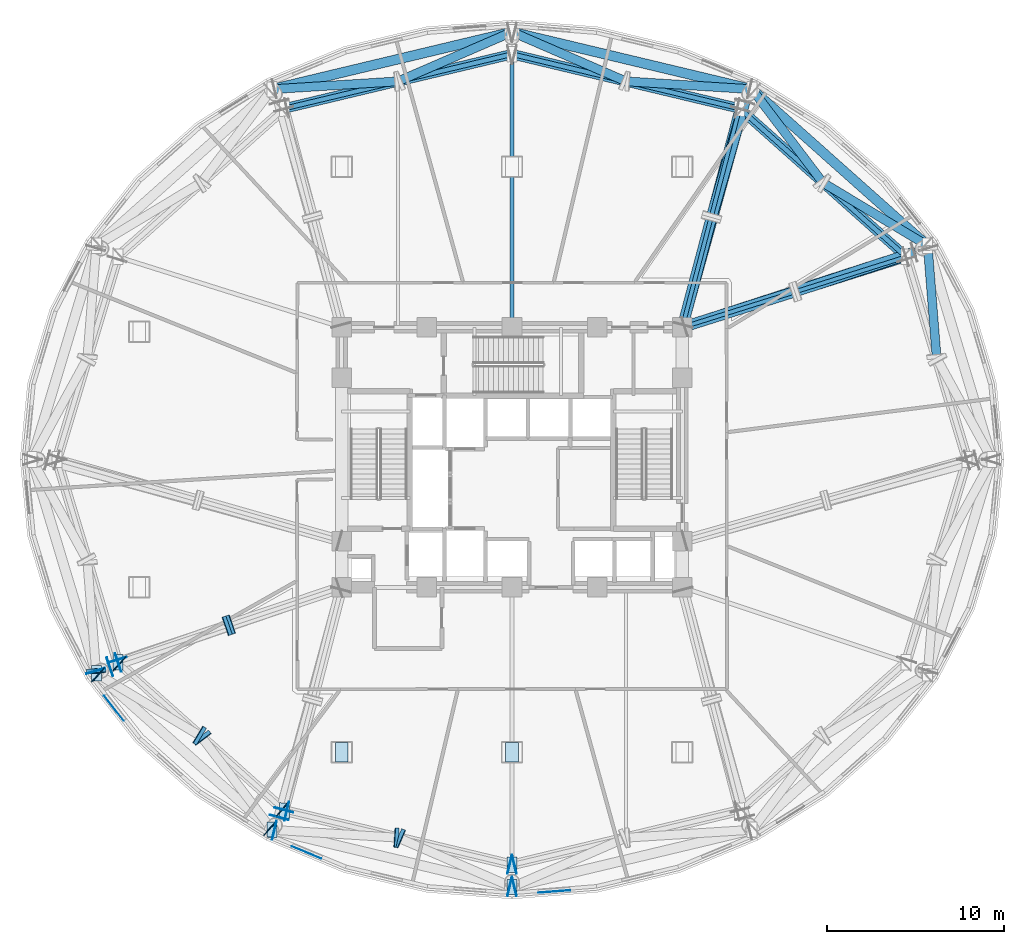
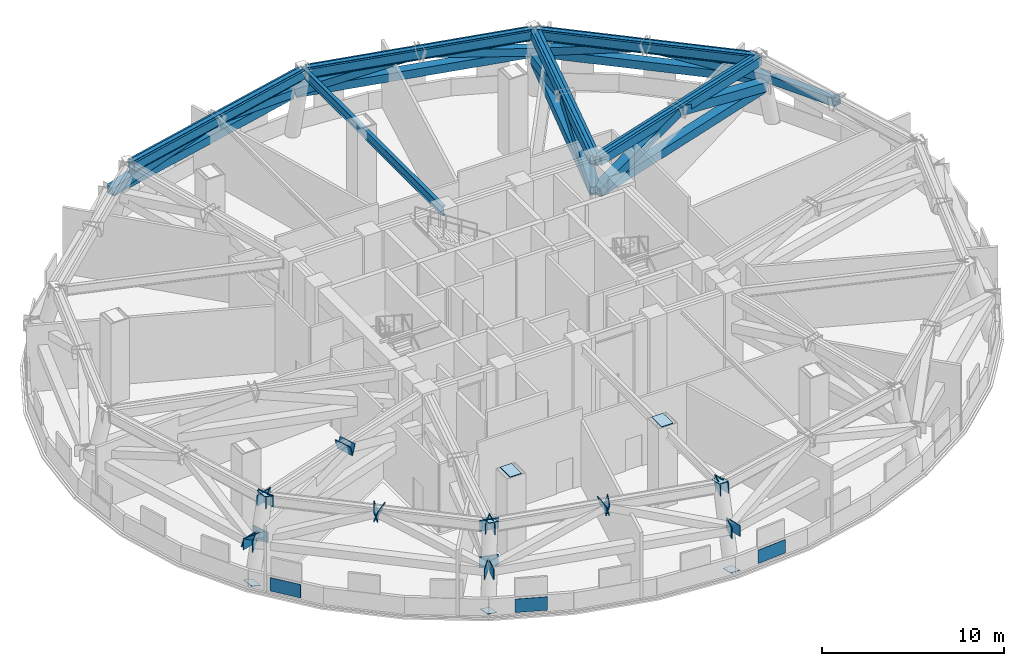
# One storey, part 3 of 14: 34 plates, 21 members, 6 beams.
"""IFC4 building model written with IfcOpenShell, lengths in metres."""

from ifc_helpers import new_model, si_unit, direction, frame, origin, origin_2d, place, context, subcontext, project, spatial, polyline, rectangle, hollow_rectangle, i_section, outline, extrude, material, layer, layer_set, material_profile, profile_set, type_object, element, save


model = new_model("IFC4")

# Units and contexts
model_context = context("Model", 3, precision=1e-05, world=origin(), true_north=direction((0.0, 1.0)))
body_context = subcontext(model_context, "Body", "Model", "MODEL_VIEW")
ifc_project = project(units=[si_unit("LENGTHUNIT", "METRE"), si_unit("AREAUNIT", "SQUARE_METRE"), si_unit("VOLUMEUNIT", "CUBIC_METRE"), si_unit("PLANEANGLEUNIT", "RADIAN"), si_unit("MASSUNIT", "GRAM", prefix="KILO")], contexts=[model_context])

# Site, building, storey
site_placement = place(None, origin())
site = spatial("IfcSite", under=ifc_project, at=site_placement, CompositionType="ELEMENT")
building_placement = place(site_placement, origin())
building = spatial("IfcBuilding", under=site, at=building_placement, Name="Vantalir Tower", CompositionType="ELEMENT")
storey_placement = place(building_placement, frame((0.0, 0.0, 90.75)))
storey = spatial("IfcBuildingStorey", under=building, at=storey_placement, Name="L22", CompositionType="ELEMENT", Elevation=90.75)

# Beams
ifc_material_1 = material(Name="Steel S355", Category="steel")
ifc_material_profile_1 = material_profile(ifc_material_1, i_section(OverallWidth=0.22998046875, OverallDepth=0.616943359375, WebThickness=0.01318359375, FlangeThickness=0.022216796875, at=origin_2d()), Name="Steel S355")
ifc_profile_set_1 = profile_set([ifc_material_profile_1], Name="Steel S355")
beam_type_1 = type_object("IfcBeamType", Name="BM-RB-610x229", PredefinedType="BEAM", material=ifc_profile_set_1)
beam_1_placement = place(storey_placement, frame((53.714111328125, 36.4208984375, 4.912109375), z_axis=(-0.953852090489, -0.300276854701, 0.0), x_axis=(0.300276854701, -0.953852090489, 0.0)))
element("IfcBeam", 1, at=beam_1_placement, inside=storey, type_object=beam_type_1, Name="L22 Radial Floor Beam 02", PredefinedType="BEAM", context=body_context, shape_type="SweptSolid", body=[
    extrude(i_section(OverallWidth=0.22998046875, OverallDepth=0.616943359375, WebThickness=0.01318359375, FlangeThickness=0.022216796875, at=origin_2d()), origin(), (0.0, 0.0, 1.0), 13.224365234375),
])
beam_2_placement = place(storey_placement, frame((44.324951171875, 44.782958984375, 4.912109375), z_axis=(-0.252976173327, -0.96747250903, 0.0), x_axis=(0.96747250903, -0.252976173327, 0.0)))
element("IfcBeam", 2, at=beam_2_placement, inside=storey, type_object=beam_type_1, Name="L22 Radial Floor Beam 03", PredefinedType="BEAM", context=body_context, shape_type="SweptSolid", body=[
    extrude(i_section(OverallWidth=0.22998046875, OverallDepth=0.616943359375, WebThickness=0.01318359375, FlangeThickness=0.022216796875, at=origin_2d()), origin(), (0.0, 0.0, 1.0), 12.74755859375),
])
beam_3_placement = place(storey_placement, frame((31.5, 47.843017578125, 4.912109375), z_axis=(0.0, -1.0, 0.0), x_axis=(1.0, 0.0, 0.0)))
element("IfcBeam", 3, at=beam_3_placement, inside=storey, type_object=beam_type_1, Name="L22 Radial Floor Beam 04", PredefinedType="BEAM", context=body_context, shape_type="SweptSolid", body=[
    extrude(i_section(OverallWidth=0.22998046875, OverallDepth=0.616943359375, WebThickness=0.01318359375, FlangeThickness=0.022216796875, at=origin_2d()), origin(), (0.0, 0.0, 1.0), 15.39306640625),
])
ifc_material_2 = material(Name="Steel S460", Category="steel")
ifc_material_profile_2 = material_profile(ifc_material_2, i_section(OverallWidth=0.26806640625, OverallDepth=0.77001953125, WebThickness=0.015625, FlangeThickness=0.025390625, at=origin_2d()), Name="Steel S460")
ifc_profile_set_2 = profile_set([ifc_material_profile_2], Name="Steel S460")
beam_type_2 = type_object("IfcBeamType", Name="BM-RG-762x267", PredefinedType="USERDEFINED", material=ifc_profile_set_2)
beam_4_placement = place(storey_placement, frame((53.714111328125, 36.4208984375, 4.8349609375), z_axis=(-0.746771533629, 0.665080654177, 0.0), x_axis=(-0.665080654177, -0.746771533629, 0.0)))
element("IfcBeam", 4, at=beam_4_placement, inside=storey, type_object=beam_type_2, Name="L22 Circumferential Ring Girder 02", ObjectType="GIRDER", PredefinedType="USERDEFINED", context=body_context, shape_type="SweptSolid", body=[
    extrude(i_section(OverallWidth=0.26806640625, OverallDepth=0.77001953125, WebThickness=0.015625, FlangeThickness=0.025390625, at=origin_2d()), origin(), (0.0, 0.0, 1.0), 12.572998046875),
])
for number, where, z_axis, x_axis, name in (
    (5, (44.324951171875, 44.782958984375, 4.8349609375), (-0.972695043045, 0.232086951886, 0.0), (-0.232086951886, -0.972695043045, 0.0), "L22 Circumferential Ring Girder 03"),
    (6, (31.5, 47.843017578125, 4.8349609375), (-0.972695043045, -0.232086951886, 0.0), (0.232086951886, -0.972695043045, 0.0), "L22 Circumferential Ring Girder 04"),
):
    element("IfcBeam", number, at=place(storey_placement, frame(where, z_axis=z_axis, x_axis=x_axis)), inside=storey, type_object=beam_type_2, Name=name, ObjectType="GIRDER", PredefinedType="USERDEFINED", context=body_context, shape_type="SweptSolid", body=[
        extrude(i_section(OverallWidth=0.26806640625, OverallDepth=0.77001953125, WebThickness=0.015625, FlangeThickness=0.025390625, at=origin_2d()), origin(), (0.0, 0.0, 1.0), 13.18505859375),
    ])

# Members
ifc_material_profile_3 = material_profile(ifc_material_2, hollow_rectangle(XDim=0.5, YDim=0.5, WallThickness=0.035888671875, at=origin_2d()), Name="Steel S460")
ifc_profile_set_3 = profile_set([ifc_material_profile_3], Name="Steel S460")
member_type_1 = type_object("IfcMemberType", Name="MEM-BT-500x36", PredefinedType="BRACE", material=ifc_profile_set_3)
member_1_placement = place(storey_placement, frame((54.93701171875, 36.904052734375, 2.866943359375), z_axis=(0.075669963687, -0.946501645235, 0.313701597324), x_axis=(0.996819477071, 0.079692723211, 0.0)))
element("IfcMember", 7, at=member_1_placement, inside=storey, type_object=member_type_1, Name="L22 Belt Truss Web Diagonal 01B", PredefinedType="BRACE", context=body_context, shape_type="SweptSolid", body=[
    extrude(hollow_rectangle(XDim=0.5, YDim=0.5, WallThickness=0.035888671875, at=origin_2d()), origin(), (0.0, 0.0, 1.0), 6.423828125),
])
member_2_placement = place(storey_placement, frame((54.802978515625, 37.1201171875, 2.864013671875), z_axis=(-0.819541785012, 0.493428490332, 0.291341015904), x_axis=(-0.515804468848, -0.856706338202, 0.0)))
element("IfcMember", 8, at=member_2_placement, inside=storey, type_object=member_type_1, Name="L22 Belt Truss Web Diagonal 02A", PredefinedType="BRACE", context=body_context, shape_type="SweptSolid", body=[
    extrude(hollow_rectangle(XDim=0.5, YDim=0.5, WallThickness=0.035888671875, at=origin_2d()), origin(), (0.0, 0.0, 1.0), 6.936767578125),
])
member_3_placement = place(storey_placement, frame((45.111083984375, 45.7509765625, 2.864990234375), z_axis=(0.576148074979, -0.759098172815, 0.303023694993), x_axis=(0.79654952425, 0.604573283743, 0.0)))
element("IfcMember", 9, at=member_3_placement, inside=storey, type_object=member_type_1, Name="L22 Belt Truss Web Diagonal 02B", PredefinedType="BRACE", context=body_context, shape_type="SweptSolid", body=[
    extrude(hollow_rectangle(XDim=0.5, YDim=0.5, WallThickness=0.035888671875, at=origin_2d()), origin(), (0.0, 0.0, 1.0), 6.6630859375),
])
member_4_placement = place(storey_placement, frame((44.881103515625, 45.8740234375, 2.862060546875), z_axis=(-0.957313819647, 0.060322296322, 0.282686171008), x_axis=(-0.062887315709, -0.998020633816, 0.0)))
element("IfcMember", 10, at=member_4_placement, inside=storey, type_object=member_type_1, Name="L22 Belt Truss Web Diagonal 03A", PredefinedType="BRACE", context=body_context, shape_type="SweptSolid", body=[
    extrude(hollow_rectangle(XDim=0.5, YDim=0.5, WallThickness=0.035888671875, at=origin_2d()), origin(), (0.0, 0.0, 1.0), 7.15966796875),
])
for number, where, z_axis, x_axis, name in (
    (11, (31.632080078125, 49.035888671875, 2.863037109375), (0.878688245198, -0.380943247216, 0.287731142129), (0.397764208465, 0.917487675375, 0.0), "L22 Belt Truss Web Diagonal 03B"),
    (12, (31.367919921875, 49.035888671875, 2.863037109375), (-0.878688245198, -0.380943247216, 0.287731142129), (0.397764208465, -0.917487675375, 0.0), "L22 Belt Truss Web Diagonal 04A"),
):
    element("IfcMember", number, at=place(storey_placement, frame(where, z_axis=z_axis, x_axis=x_axis)), inside=storey, type_object=member_type_1, Name=name, PredefinedType="BRACE", context=body_context, shape_type="SweptSolid", body=[
        extrude(hollow_rectangle(XDim=0.5, YDim=0.5, WallThickness=0.035888671875, at=origin_2d()), origin(), (0.0, 0.0, 1.0), 7.02734375),
    ])
member_5_placement = place(storey_placement, frame((18.118896484375, 45.8740234375, 2.862060546875), z_axis=(0.957313819647, 0.060322296322, 0.282686171008), x_axis=(-0.062887315709, 0.998020633816, 0.0)))
element("IfcMember", 13, at=member_5_placement, inside=storey, type_object=member_type_1, Name="L22 Belt Truss Web Diagonal 04B", PredefinedType="BRACE", context=body_context, shape_type="SweptSolid", body=[
    extrude(hollow_rectangle(XDim=0.5, YDim=0.5, WallThickness=0.035888671875, at=origin_2d()), origin(), (0.0, 0.0, 1.0), 7.15966796875),
])
ifc_material_profile_4 = material_profile(ifc_material_2, hollow_rectangle(XDim=0.550048828125, YDim=0.550048828125, WallThickness=0.035888671875, at=origin_2d()), Name="Steel S460")
ifc_profile_set_4 = profile_set([ifc_material_profile_4], Name="Steel S460")
member_type_2 = type_object("IfcMemberType", Name="MEM-CH-550x36", PredefinedType="CHORD", material=ifc_profile_set_4)
member_6_placement = place(storey_placement, frame((54.81396484375, 37.14599609375, 2.820068359375), z_axis=(-0.74675306963, 0.665101385503, 0.0), x_axis=(-0.665101385503, -0.74675306963, 0.0)))
element("IfcMember", 14, at=member_6_placement, inside=storey, type_object=member_type_2, Name="L22 Belt Truss Bottom Chord 02", PredefinedType="CHORD", context=body_context, shape_type="SweptSolid", body=[
    extrude(hollow_rectangle(XDim=0.550048828125, YDim=0.550048828125, WallThickness=0.035888671875, at=origin_2d()), origin(), (0.0, 0.0, 1.0), 12.958740234375),
])
member_7_placement = place(storey_placement, frame((53.60205078125, 36.52099609375, 4.919921875), z_axis=(-0.746785582201, 0.665064879705, 0.0), x_axis=(-0.665064879705, -0.746785582201, 0.0)))
element("IfcMember", 15, at=member_7_placement, inside=storey, type_object=member_type_2, Name="L22 Belt Truss Top Chord 02", PredefinedType="CHORD", context=body_context, shape_type="SweptSolid", body=[
    extrude(hollow_rectangle(XDim=0.550048828125, YDim=0.550048828125, WallThickness=0.035888671875, at=origin_2d()), origin(), (0.0, 0.0, 1.0), 12.272705078125),
])
member_8_placement = place(storey_placement, frame((44.87890625, 45.89990234375, 2.820068359375), z_axis=(-0.972681688256, 0.232142915746, 0.0), x_axis=(-0.232142915746, -0.972681688256, 0.0)))
element("IfcMember", 16, at=member_8_placement, inside=storey, type_object=member_type_2, Name="L22 Belt Truss Bottom Chord 03", PredefinedType="CHORD", context=body_context, shape_type="SweptSolid", body=[
    extrude(hollow_rectangle(XDim=0.550048828125, YDim=0.550048828125, WallThickness=0.035888671875, at=origin_2d()), origin(), (0.0, 0.0, 1.0), 13.6044921875),
])
member_9_placement = place(storey_placement, frame((44.178955078125, 44.818115234375, 4.919921875), z_axis=(-0.97270202374, 0.232057693284, 0.0), x_axis=(-0.232057693284, -0.97270202374, 0.0)))
element("IfcMember", 17, at=member_9_placement, inside=storey, type_object=member_type_2, Name="L22 Belt Truss Top Chord 03", PredefinedType="CHORD", context=body_context, shape_type="SweptSolid", body=[
    extrude(hollow_rectangle(XDim=0.550048828125, YDim=0.550048828125, WallThickness=0.035888671875, at=origin_2d()), origin(), (0.0, 0.0, 1.0), 12.884765625),
])
member_10_placement = place(storey_placement, frame((31.35400390625, 49.05810546875, 2.820068359375), z_axis=(-0.972681688256, -0.232142915746, 0.0), x_axis=(0.232142915746, -0.972681688256, 0.0)))
element("IfcMember", 18, at=member_10_placement, inside=storey, type_object=member_type_2, Name="L22 Belt Truss Bottom Chord 04", PredefinedType="CHORD", context=body_context, shape_type="SweptSolid", body=[
    extrude(hollow_rectangle(XDim=0.550048828125, YDim=0.550048828125, WallThickness=0.035888671875, at=origin_2d()), origin(), (0.0, 0.0, 1.0), 13.6044921875),
])
member_11_placement = place(storey_placement, frame((31.35400390625, 47.80810546875, 4.919921875), z_axis=(-0.97270202374, -0.232057693284, 0.0), x_axis=(0.232057693284, -0.97270202374, 0.0)))
element("IfcMember", 19, at=member_11_placement, inside=storey, type_object=member_type_2, Name="L22 Belt Truss Top Chord 04", PredefinedType="CHORD", context=body_context, shape_type="SweptSolid", body=[
    extrude(hollow_rectangle(XDim=0.550048828125, YDim=0.550048828125, WallThickness=0.035888671875, at=origin_2d()), origin(), (0.0, 0.0, 1.0), 12.884765625),
])
ifc_material_profile_5 = material_profile(ifc_material_2, hollow_rectangle(XDim=0.580078125, YDim=0.580078125, WallThickness=0.0380859375, at=origin_2d()), Name="Steel S460")
ifc_profile_set_5 = profile_set([ifc_material_profile_5], Name="Steel S460")
member_type_3 = type_object("IfcMemberType", Name="MEM-CH-580x38", PredefinedType="CHORD", material=ifc_profile_set_5)
member_12_placement = place(storey_placement, frame((41.242919921875, 32.49609375, 2.820068359375), z_axis=(0.951418316674, 0.307901261278, 0.0), x_axis=(-0.307901261278, 0.951418316674, 0.0)))
element("IfcMember", 20, at=member_12_placement, inside=storey, type_object=member_type_3, Name="L22 Outrigger Truss Bottom Chord 02", PredefinedType="CHORD", context=body_context, shape_type="SweptSolid", body=[
    extrude(hollow_rectangle(XDim=0.580078125, YDim=0.580078125, WallThickness=0.0380859375, at=origin_2d()), origin(), (0.0, 0.0, 1.0), 13.566162109375),
])
member_13_placement = place(storey_placement, frame((41.242919921875, 32.4951171875, 4.919921875), z_axis=(0.953392668288, 0.301732364943, 0.0), x_axis=(-0.301732364943, 0.953392668288, 0.0)))
element("IfcMember", 21, at=member_13_placement, inside=storey, type_object=member_type_3, Name="L22 Outrigger Truss Top Chord 02", PredefinedType="CHORD", context=body_context, shape_type="SweptSolid", body=[
    extrude(hollow_rectangle(XDim=0.580078125, YDim=0.580078125, WallThickness=0.0380859375, at=origin_2d()), origin(), (0.0, 0.0, 1.0), 13.0439453125),
])
member_14_placement = place(storey_placement, frame((41.139892578125, 32.594970703125, 2.820068359375), z_axis=(0.266938504404, 0.963713564741, 0.0), x_axis=(-0.963713564741, 0.266938504404, 0.0)))
element("IfcMember", 22, at=member_14_placement, inside=storey, type_object=member_type_3, Name="L22 Outrigger Truss Bottom Chord 03", PredefinedType="CHORD", context=body_context, shape_type="SweptSolid", body=[
    extrude(hollow_rectangle(XDim=0.580078125, YDim=0.580078125, WallThickness=0.0380859375, at=origin_2d()), origin(), (0.0, 0.0, 1.0), 13.032958984375),
])
member_15_placement = place(storey_placement, frame((41.137939453125, 32.594970703125, 4.919921875), z_axis=(0.255739178922, 0.966745815799, 0.0), x_axis=(-0.966745815799, 0.255739178922, 0.0)))
element("IfcMember", 23, at=member_15_placement, inside=storey, type_object=member_type_3, Name="L22 Outrigger Truss Top Chord 03", PredefinedType="CHORD", context=body_context, shape_type="SweptSolid", body=[
    extrude(hollow_rectangle(XDim=0.580078125, YDim=0.580078125, WallThickness=0.0380859375, at=origin_2d()), origin(), (0.0, 0.0, 1.0), 12.556396484375),
])
ifc_material_profile_6 = material_profile(ifc_material_2, hollow_rectangle(XDim=0.60009765625, YDim=0.60009765625, WallThickness=0.0400390625, at=origin_2d()), Name="Steel S460")
ifc_profile_set_6 = profile_set([ifc_material_profile_6], Name="Steel S460")
member_type_4 = type_object("IfcMemberType", Name="MEM-OR-600x40", PredefinedType="BRACE", material=ifc_profile_set_6)
member_16_placement = place(storey_placement, frame((41.236083984375, 32.492919921875, 2.864990234375), z_axis=(0.909395301659, 0.287872928911, 0.300215526115), x_axis=(-0.301794278003, 0.953373071659, 0.0)))
element("IfcMember", 24, at=member_16_placement, inside=storey, type_object=member_type_4, Name="L22 Outrigger Truss Diagonal 02A", PredefinedType="BRACE", context=body_context, shape_type="SweptSolid", body=[
    extrude(hollow_rectangle(XDim=0.60009765625, YDim=0.60009765625, WallThickness=0.0400390625, at=origin_2d()), origin(), (0.0, 0.0, 1.0), 6.725341796875),
])
member_17_placement = place(storey_placement, frame((47.570068359375, 34.4990234375, 4.885986328125), z_axis=(0.911539181629, 0.301041761904, -0.280125289728), x_axis=(-0.313597108765, 0.949556134925, 0.0)))
element("IfcMember", 25, at=member_17_placement, inside=storey, type_object=member_type_4, Name="L22 Outrigger Truss Diagonal 02B", PredefinedType="BRACE", context=body_context, shape_type="SweptSolid", body=[
    extrude(hollow_rectangle(XDim=0.60009765625, YDim=0.60009765625, WallThickness=0.0400390625, at=origin_2d()), origin(), (0.0, 0.0, 1.0), 7.22509765625),
])
member_18_placement = place(storey_placement, frame((41.135986328125, 32.587890625, 2.866943359375), z_axis=(0.243078844264, 0.918953854778, 0.310542248752), x_axis=(-0.966750402433, 0.255721839887, 0.0)))
element("IfcMember", 26, at=member_18_placement, inside=storey, type_object=member_type_4, Name="L22 Outrigger Truss Diagonal 03A", PredefinedType="BRACE", context=body_context, shape_type="SweptSolid", body=[
    extrude(hollow_rectangle(XDim=0.60009765625, YDim=0.60009765625, WallThickness=0.0400390625, at=origin_2d()), origin(), (0.0, 0.0, 1.0), 6.4921875),
])
member_19_placement = place(storey_placement, frame((42.77490234375, 38.77490234375, 4.885009765625), z_axis=(0.265544841075, 0.919182870097, -0.290841518182), x_axis=(-0.960713312495, 0.277542665539, 0.0)))
element("IfcMember", 27, at=member_19_placement, inside=storey, type_object=member_type_4, Name="L22 Outrigger Truss Diagonal 03B", PredefinedType="BRACE", context=body_context, shape_type="SweptSolid", body=[
    extrude(hollow_rectangle(XDim=0.60009765625, YDim=0.60009765625, WallThickness=0.0400390625, at=origin_2d()), origin(), (0.0, 0.0, 1.0), 6.94873046875),
])

# Plates
ifc_layer_1 = layer(ifc_material_2, 0.044921875)
ifc_layer_set_1 = layer_set([ifc_layer_1], Name="Steel S460")
plate_type_1 = type_object("IfcPlateType", Name="PLT-BN-01", PredefinedType="USERDEFINED", material=ifc_layer_set_1)
plate_1_placement = place(storey_placement, frame((21.5400390625, 9.050048828125, 5.43701171875), z_axis=(0.0, 0.0, 1.0), x_axis=(0.0, -1.0, 0.0)))
element("IfcPlate", 28, at=plate_1_placement, inside=storey, type_object=plate_type_1, Name="L22 Mega-Column Cap Plate MC01", ObjectType="FLANGE_PLATE", PredefinedType="USERDEFINED", context=body_context, shape_type="SweptSolid", body=[
    extrude(outline(polyline([(0.0, 0.0), (1.10009765625, 0.0), (1.10009765625, 0.719970703125), (0.0, 0.719970703125), (0.0, 0.0)])), origin(), (0.0, 0.0, -1.0), 0.044921875),
])
plate_2_placement = place(storey_placement, frame((31.139892578125, 9.050048828125, 5.43701171875), z_axis=(0.0, 0.0, 1.0), x_axis=(0.0, -1.0, 0.0)))
element("IfcPlate", 29, at=plate_2_placement, inside=storey, type_object=plate_type_1, Name="L22 Mega-Column Cap Plate MC02", ObjectType="FLANGE_PLATE", PredefinedType="USERDEFINED", context=body_context, shape_type="SweptSolid", body=[
    extrude(outline(polyline([(0.0, 0.0), (1.10009765625, 0.0), (1.10009765625, 0.72021484375), (0.0, 0.72021484375), (0.0, 0.0)])), origin(), (0.0, 0.0, -1.0), 0.044921875),
])
for number, where, z_axis, x_axis, name in (
    (30, (8.034912109375, 13.08203125, 2.4599609375), (0.0, 0.0, 1.0), (0.288062563141, -0.957611591261, 0.0), "Node Cap Plate MEM-L22-BTCB-07 End"),
    (31, (9.2470703125, 13.70703125, 4.56005859375), (0.0, 0.0, 1.0), (0.288062563141, -0.957611591261, 0.0), "Node Cap Plate MEM-L22-BTCT-07 End"),
):
    element("IfcPlate", number, at=place(storey_placement, frame(where, z_axis=z_axis, x_axis=x_axis)), inside=storey, type_object=plate_type_1, Name=name, ObjectType="FLANGE_PLATE", PredefinedType="USERDEFINED", context=body_context, shape_type="SweptSolid", body=[
        extrude(rectangle(XDim=0.044921875, YDim=1.10009765625, at=origin_2d()), origin(), (0.0, 0.0, 1.0), 0.719970703125),
    ])
plate_3_placement = place(storey_placement, frame((8.601318359375, 13.2587890625, 2.52783203125), z_axis=(-0.075444490677, 0.946533323672, 0.313660319461), x_axis=(-0.996838454805, -0.079454987357, 2.626265e-06)))
element("IfcPlate", 32, at=plate_3_placement, inside=storey, type_object=plate_type_1, Name="Node Cap Plate MEM-L22-BTDG-07B Start", ObjectType="FLANGE_PLATE", PredefinedType="USERDEFINED", context=body_context, shape_type="SweptSolid", body=[
    extrude(outline(polyline([(0.0, 0.0), (1.0999136684573285, 3.469446951953614e-18), (1.1000346754603472, 0.719921515384006), (-0.00012236176036169047, 0.7199276004334602), (0.0, 0.0)])), origin(), (0.0, 0.0, -1.0), 0.044921875),
])
for number, where, z_axis, x_axis, name in (
    (33, (8.175048828125, 12.863037109375, 2.4599609375), (0.0, 0.0, 1.0), (0.746765883584, -0.665086998155, 0.0), "Node Cap Plate MEM-L22-BTCB-08 Start"),
    (34, (17.8740234375, 4.22509765625, 2.4599609375), (0.0, 0.0, 1.0), (0.746765883584, -0.665086998155, 0.0), "Node Cap Plate MEM-L22-BTCB-08 End"),
    (35, (9.386962890625, 13.488037109375, 4.56005859375), (0.0, 0.0, 1.0), (0.746812313596, -0.66503486244, 0.0), "Node Cap Plate MEM-L22-BTCT-08 Start"),
    (36, (18.573974609375, 5.306884765625, 4.56005859375), (0.0, 0.0, 1.0), (0.746812313596, -0.66503486244, 0.0), "Node Cap Plate MEM-L22-BTCT-08 End"),
):
    element("IfcPlate", number, at=place(storey_placement, frame(where, z_axis=z_axis, x_axis=x_axis)), inside=storey, type_object=plate_type_1, Name=name, ObjectType="FLANGE_PLATE", PredefinedType="USERDEFINED", context=body_context, shape_type="SweptSolid", body=[
        extrude(rectangle(XDim=0.044921875, YDim=1.10009765625, at=origin_2d()), origin(), (0.0, 0.0, 1.0), 0.719970703125),
    ])
plate_4_placement = place(storey_placement, frame((13.71875, 8.9130859375, 4.551513671875), z_axis=(0.81965369578, -0.493214748166, 0.29138811092), x_axis=(0.515592927957, 0.856833666698, -1.5950468e-05)))
element("IfcPlate", 37, at=plate_4_placement, inside=storey, type_object=plate_type_1, Name="Node Cap Plate MEM-L22-BTDG-08A End", ObjectType="FLANGE_PLATE", PredefinedType="USERDEFINED", context=body_context, shape_type="SweptSolid", body=[
    extrude(outline(polyline([(0.0, 0.0), (1.0998780090567686, 0.0), (1.1001008500647407, 0.7199819251472238), (1.3653101063509288e-05, 0.7199452428417695), (0.0, 0.0)])), origin(), (0.0, 0.0, -1.0), 0.044921875),
])
plate_5_placement = place(storey_placement, frame((14.400390625, 9.75390625, 4.5517578125), z_axis=(-0.576260353271, 0.759038967524, 0.302958497205), x_axis=(-0.796470073612, -0.604677948863, 0.0)))
element("IfcPlate", 38, at=plate_5_placement, inside=storey, type_object=plate_type_1, Name="Node Cap Plate MEM-L22-BTDG-08B End", ObjectType="FLANGE_PLATE", PredefinedType="USERDEFINED", context=body_context, shape_type="SweptSolid", body=[
    extrude(outline(polyline([(0.0, 0.0), (1.099823573442666, 0.0), (1.0999302286769694, 0.7201223461339227), (0.00010665523430342105, 0.7201223461339227), (0.0, 0.0)])), origin(), (0.0, 0.0, -1.0), 0.044921875),
])
for number, where, z_axis, x_axis, name in (
    (39, (18.10595703125, 4.10400390625, 2.4599609375), (0.0, 0.0, 1.0), (0.972678718536, -0.232155358558, 0.0), "Node Cap Plate MEM-L22-BTCB-09 Start"),
    (40, (31.368896484375, 0.93798828125, 2.4599609375), (0.0, 0.0, 1.0), (0.972678718536, -0.232155358558, 0.0), "Node Cap Plate MEM-L22-BTCB-09 End"),
    (41, (18.805908203125, 5.18603515625, 4.56005859375), (0.0, 0.0, 1.0), (0.972694923667, -0.232087452208, 0.0), "Node Cap Plate MEM-L22-BTCT-09 Start"),
    (42, (31.368896484375, 2.18798828125, 4.56005859375), (0.0, 0.0, 1.0), (0.972694923667, -0.232087452208, 0.0), "Node Cap Plate MEM-L22-BTCT-09 End"),
):
    element("IfcPlate", number, at=place(storey_placement, frame(where, z_axis=z_axis, x_axis=x_axis)), inside=storey, type_object=plate_type_1, Name=name, ObjectType="FLANGE_PLATE", PredefinedType="USERDEFINED", context=body_context, shape_type="SweptSolid", body=[
        extrude(rectangle(XDim=0.044921875, YDim=1.10009765625, at=origin_2d()), origin(), (0.0, 0.0, 1.0), 0.719970703125),
    ])
plate_6_placement = place(storey_placement, frame((25.074951171875, 3.13671875, 4.55126953125), z_axis=(0.957314643324, -0.06045749582, 0.282654497359), x_axis=(0.063027650842, 0.998011781108, 0.0)))
element("IfcPlate", 43, at=plate_6_placement, inside=storey, type_object=plate_type_1, Name="Node Cap Plate MEM-L22-BTDG-09A End", ObjectType="FLANGE_PLATE", PredefinedType="USERDEFINED", context=body_context, shape_type="SweptSolid", body=[
    extrude(outline(polyline([(0.0, 0.0), (1.100087605585815, -6.938893903907228e-18), (1.099955185448463, 0.7200355934995311), (-0.00013242013735213293, 0.7200355934995311), (0.0, 0.0)])), origin(), (0.0, 0.0, -1.0), 0.044921875),
])
plate_7_placement = place(storey_placement, frame((25.2841796875, 4.201171875, 4.55126953125), z_axis=(-0.87878221674, 0.380933171843, 0.287457360543), x_axis=(-0.397719547411, -0.917507036271, 0.0)))
element("IfcPlate", 44, at=plate_7_placement, inside=storey, type_object=plate_type_1, Name="Node Cap Plate MEM-L22-BTDG-09B End", ObjectType="FLANGE_PLATE", PredefinedType="USERDEFINED", context=body_context, shape_type="SweptSolid", body=[
    extrude(outline(polyline([(0.0, 0.0), (1.1000213664320597, 1.3877787807814457e-17), (1.0999662061140578, 0.7200897811236214), (-5.516031800195664e-05, 0.7200897811236214), (0.0, 0.0)])), origin(), (0.0, 0.0, -1.0), 0.044921875),
])
for number, where, z_axis, x_axis, name in (
    (45, (31.631103515625, 0.93798828125, 2.4599609375), (0.0, 0.0, 1.0), (0.972678718536, 0.232155358558, 0.0), "Node Cap Plate MEM-L22-BTCB-10 Start"),
    (46, (31.631103515625, 2.18798828125, 4.56005859375), (0.0, 0.0, 1.0), (0.972694923667, 0.232087452208, 0.0), "Node Cap Plate MEM-L22-BTCT-10 Start"),
    (47, (8.8349609375, 13.322998046875, 2.4599609375), (0.0, 0.0, 1.0), (-0.946006182629, -0.324148580789, 0.0), "Node Cap Plate MEM-L22-ORCB-06 End"),
    (48, (9.305908203125, 13.56494140625, 4.56005859375), (0.0, 0.0, 1.0), (-0.947851880881, -0.318711173181, 0.0), "Node Cap Plate MEM-L22-ORCT-06 End"),
):
    element("IfcPlate", number, at=place(storey_placement, frame(where, z_axis=z_axis, x_axis=x_axis)), inside=storey, type_object=plate_type_1, Name=name, ObjectType="FLANGE_PLATE", PredefinedType="USERDEFINED", context=body_context, shape_type="SweptSolid", body=[
        extrude(rectangle(XDim=0.044921875, YDim=1.10009765625, at=origin_2d()), origin(), (0.0, 0.0, 1.0), 0.719970703125),
    ])
plate_8_placement = place(storey_placement, frame((15.3369140625, 16.173583984375, 4.5517578125), z_axis=(-0.904566112663, -0.304169754779, 0.298732167835), x_axis=(0.318720643478, -0.947848696428, -1.0082824e-05)))
element("IfcPlate", 49, at=plate_8_placement, inside=storey, type_object=plate_type_1, Name="Node Cap Plate MEM-L22-ORDG-06A End", ObjectType="FLANGE_PLATE", PredefinedType="USERDEFINED", context=body_context, shape_type="SweptSolid", body=[
    extrude(outline(polyline([(0.0, 0.0), (1.1000841373233032, -1.3877787807814457e-17), (1.1000250261275324, 0.7198954004830721), (0.0001722971773802953, 0.7198721575660362), (0.0, 0.0)])), origin(), (0.0, 0.0, -1.0), 0.044921875),
])
plate_9_placement = place(storey_placement, frame((15.73974609375, 15.148681640625, 4.551025390625), z_axis=(0.906819309417, 0.316198482905, 0.278742281464), x_axis=(-0.329258282542, 0.944239896396, 3.7832997e-05)))
element("IfcPlate", 50, at=plate_9_placement, inside=storey, type_object=plate_type_1, Name="Node Cap Plate MEM-L22-ORDG-06B Start", ObjectType="FLANGE_PLATE", PredefinedType="USERDEFINED", context=body_context, shape_type="SweptSolid", body=[
    extrude(outline(polyline([(0.0, 0.0), (1.0999550318753482, 0.0), (1.1001178336594788, 0.7201512891295401), (1.265978856086927e-05, 0.7202379590838355), (0.0, 0.0)])), origin(), (0.0, 0.0, -1.0), 0.044921875),
])
for number, where, z_axis, x_axis, name in (
    (51, (18.3759765625, 4.830078125, 2.4599609375), (0.0, 0.0, 1.0), (-0.262206021316, -0.965011918261, 0.0), "Node Cap Plate MEM-L22-ORCB-07 End"),
    (52, (18.64697265625, 5.251953125, 4.56005859375), (0.0, 0.0, 1.0), (-0.250971365041, -0.967994511312, 0.0), "Node Cap Plate MEM-L22-ORCT-07 End"),
):
    element("IfcPlate", number, at=place(storey_placement, frame(where, z_axis=z_axis, x_axis=x_axis)), inside=storey, type_object=plate_type_1, Name=name, ObjectType="FLANGE_PLATE", PredefinedType="USERDEFINED", context=body_context, shape_type="SweptSolid", body=[
        extrude(rectangle(XDim=0.044921875, YDim=1.10009765625, at=origin_2d()), origin(), (0.0, 0.0, 1.0), 0.719970703125),
    ])
ifc_layer_2 = layer(ifc_material_2, 0.035888671875)
ifc_layer_set_2 = layer_set([ifc_layer_2], Name="Steel S460")
plate_type_2 = type_object("IfcPlateType", Name="PLT-KN-Z2", PredefinedType="USERDEFINED", material=ifc_layer_set_2)
plate_10_placement = place(storey_placement, frame((9.009765625, 14.02587890625, 5.259521484375), z_axis=(0.224659802604, 0.115705110532, 0.967543435971), x_axis=(0.0, -0.992925328274, 0.118740441604)))
element("IfcPlate", 53, at=plate_10_placement, inside=storey, type_object=plate_type_2, Name="L22 Ring Column Top Cap RC08", ObjectType="FLANGE_PLATE", PredefinedType="USERDEFINED", context=body_context, shape_type="SweptSolid", body=[
    extrude(outline(polyline([(0.0, 0.0), (0.8800050436764012, 0.0), (0.8799127247386717, 0.5800122493759312), (-9.231893772955815e-05, 0.5800122493759311), (0.0, 0.0)])), origin(), (0.0, 0.0, -1.0), 0.035888671875),
])
plate_11_placement = place(storey_placement, frame((7.80322265625, 13.40380859375, 0.063720703125), z_axis=(0.224707259791, 0.115703811199, 0.967532570755), x_axis=(0.0, -0.992925328274, 0.118740441604)))
element("IfcPlate", 54, at=plate_11_placement, inside=storey, type_object=plate_type_2, Name="L22 Ring Column Base Cap RC08", ObjectType="FLANGE_PLATE", PredefinedType="USERDEFINED", context=body_context, shape_type="SweptSolid", body=[
    extrude(outline(polyline([(0.0, 0.0), (0.8800050436764012, 0.0), (0.8801551381488947, 0.580018762808971), (0.00015009447249354074, 0.5800187628089711), (0.0, 0.0)])), origin(), (0.0, 0.0, -1.0), 0.035888671875),
])
plate_12_placement = place(storey_placement, frame((18.39111328125, 5.6611328125, 5.19482421875), z_axis=(0.130293837358, 0.201369670395, 0.970810883639), x_axis=(0.0, -0.979157788848, 0.203101020526)))
element("IfcPlate", 55, at=plate_12_placement, inside=storey, type_object=plate_type_2, Name="L22 Ring Column Top Cap RC09", ObjectType="FLANGE_PLATE", PredefinedType="USERDEFINED", context=body_context, shape_type="SweptSolid", body=[
    extrude(outline(polyline([(0.0, 0.0), (0.8799115683273657, 3.469446951953614e-18), (0.8799475379264879, 0.5798945269735878), (3.596959912221219e-05, 0.5798945269735878), (0.0, 0.0)])), origin(), (0.0, 0.0, -1.0), 0.035888671875),
])
plate_13_placement = place(storey_placement, frame((17.6943359375, 4.584228515625, -0.0009765625), z_axis=(0.129994928265, 0.20121841965, 0.970882313269), x_axis=(-1.387652e-05, -0.979190714401, 0.20294221995)))
element("IfcPlate", 56, at=plate_13_placement, inside=storey, type_object=plate_type_2, Name="L22 Ring Column Base Cap RC09", ObjectType="FLANGE_PLATE", PredefinedType="USERDEFINED", context=body_context, shape_type="SweptSolid", body=[
    extrude(outline(polyline([(0.0, 0.0), (0.8801506169040653, -3.469446951953614e-18), (0.8799517981945031, 0.5801301252758787), (8.978796386337543e-05, 0.5801054934148747), (0.0, 0.0)])), origin(), (0.0, 0.0, -1.0), 0.035888671875),
])
plate_14_placement = place(storey_placement, frame((31.2099609375, 2.59130859375, 5.144775390625), z_axis=(0.0, 0.232795727364, 0.97252565484), x_axis=(0.0, -0.97252565484, 0.232795727364)))
element("IfcPlate", 57, at=plate_14_placement, inside=storey, type_object=plate_type_2, Name="L22 Ring Column Top Cap RC10", ObjectType="FLANGE_PLATE", PredefinedType="USERDEFINED", context=body_context, shape_type="SweptSolid", body=[
    extrude(outline(polyline([(0.0, 0.0), (0.8798872156911538, 0.0), (0.8798872156911538, 0.580078125), (0.0, 0.580078125), (0.0, 0.0)])), origin(), (0.0, 0.0, -1.0), 0.035888671875),
])
plate_15_placement = place(storey_placement, frame((31.2099609375, 1.34716796875, -0.051025390625), z_axis=(0.0, 0.233058132955, 0.972462804771), x_axis=(0.0, -0.972462804771, 0.233058132955)))
element("IfcPlate", 58, at=plate_15_placement, inside=storey, type_object=plate_type_2, Name="L22 Ring Column Base Cap RC10", ObjectType="FLANGE_PLATE", PredefinedType="USERDEFINED", context=body_context, shape_type="SweptSolid", body=[
    extrude(outline(polyline([(0.0, 0.0), (0.8799440826184973, 0.0), (0.8799440826184973, 0.580078125), (0.0, 0.580078125), (0.0, 0.0)])), origin(), (0.0, 0.0, -1.0), 0.035888671875),
])
ifc_material_3 = material(Name="Champagne-silver PVDF aluminium cassette", Category="aluminium")
ifc_layer_3 = layer(ifc_material_3, 0.02392578125)
ifc_layer_set_3 = layer_set([ifc_layer_3], Name="Champagne-silver PVDF aluminium cassette")
plate_type_3 = type_object("IfcPlateType", Name="PLT-SC-01", PredefinedType="SHEET", material=ifc_layer_set_3)
for number, where, z_axis, x_axis, name in (
    (59, (9.06494140625, 10.987060546875, 0.10009765625), (0.0, 0.0, 1.0), (0.617571381834, -0.786514836694, 0.0), "L22 PVDF Aluminium Spandrel Cassette R22"),
    (60, (19.922119140625, 2.85400390625, 0.10009765625), (0.0, 0.0, 1.0), (0.923310793754, -0.384053613623, 0.0), "L22 PVDF Aluminium Spandrel Cassette R25"),
    (61, (33.887939453125, 0.655029296875, 0.10009765625), (0.0, 0.0, 1.0), (0.996969150516, 0.077797897906, 0.0), "L22 PVDF Aluminium Spandrel Cassette R28"),
):
    element("IfcPlate", number, at=place(storey_placement, frame(where, z_axis=z_axis, x_axis=x_axis)), inside=storey, type_object=plate_type_3, Name=name, PredefinedType="SHEET", context=body_context, shape_type="SweptSolid", body=[
        extrude(rectangle(XDim=1.800048828125, YDim=0.02392578125, at=origin_2d()), origin(), (0.0, 0.0, 1.0), 0.89990234375),
    ])

save(model, "model.ifc")
